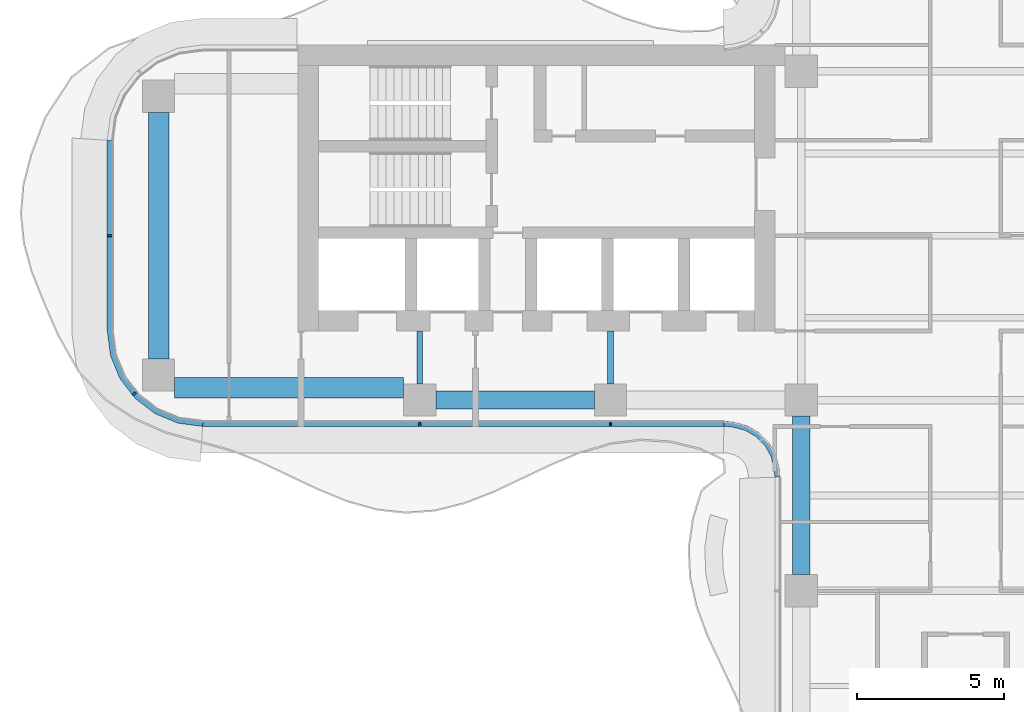
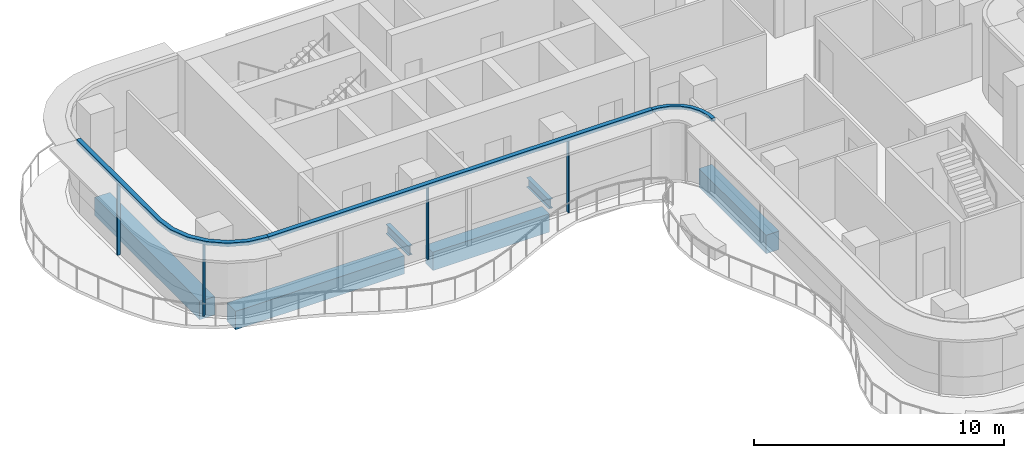
# One storey, part 3 of 19: 7 members, 6 beams, 3 elements without a shape of their own.
"""IFC4 building model written with IfcOpenShell, lengths in metres."""

from ifc_helpers import new_model, si_unit, direction, frame, origin, origin_2d, place, context, subcontext, project, spatial, polyline, rectangle, i_section, outline, extrude, source, transform, mapped, material, layer, layer_set, material_profile, profile_set, type_object, element, aggregate, save


model = new_model("IFC4")

# Units and contexts
model_context = context("Model", 3, precision=1e-05, world=origin(), true_north=direction((0.0, 1.0)))
body_context = subcontext(model_context, "Body", "Model", "MODEL_VIEW")
ifc_project = project(units=[si_unit("LENGTHUNIT", "METRE"), si_unit("AREAUNIT", "SQUARE_METRE"), si_unit("VOLUMEUNIT", "CUBIC_METRE"), si_unit("PLANEANGLEUNIT", "RADIAN"), si_unit("MASSUNIT", "GRAM", prefix="KILO")], contexts=[model_context])

# Site, building, storey
site_placement = place(None, origin())
site = spatial("IfcSite", under=ifc_project, at=site_placement, CompositionType="ELEMENT")
building_placement = place(site_placement, origin())
building = spatial("IfcBuilding", under=site, at=building_placement, Name="Trellis Farm Tower", CompositionType="ELEMENT")
storey_placement = place(building_placement, frame((0.0, 0.0, 228.5)))
storey = spatial("IfcBuildingStorey", under=building, at=storey_placement, Name="L50", CompositionType="ELEMENT", Elevation=228.5)

# Beams
ifc_material_1 = material(Name="Steel S355", Category="steel")
ifc_material_profile_1 = material_profile(ifc_material_1, i_section(OverallWidth=0.1904296875, OverallDepth=0.45703125, WebThickness=0.009033203125, FlangeThickness=0.014404296875, FilletRadius=0.01025390625, at=origin_2d()), Name="UB 457x191x74")
ifc_profile_set_1 = profile_set([ifc_material_profile_1], Name="Steel S355")
beam_type_1 = type_object("IfcBeamType", Name="UB 457x191x74", PredefinedType="BEAM", material=ifc_profile_set_1)
shared_shape_1 = source(origin(), body_context, "Body", "SweptSolid", [
    extrude(i_section(OverallWidth=0.1904296875, OverallDepth=0.45703125, WebThickness=0.009033203125, FlangeThickness=0.014404296875, FilletRadius=0.01025390625, at=origin_2d()), origin(), (0.0, 0.0, 1.0), 1.800048828125),
])
for number, where, z_axis, x_axis, name in (
    (1, (-18.60009765625, -5.050048828125, -0.428466796875), (0.0, 1.0, 0.0), (-1.0, 0.0, 0.0), "Girder"),
    (2, (-12.10009765625, -5.050048828125, -0.428466796875), (0.0, 1.0, 0.0), (-1.0, 0.0, 0.0), "Girder"),
):
    element("IfcBeam", number, at=place(storey_placement, frame(where, z_axis=z_axis, x_axis=x_axis)), inside=storey, type_object=beam_type_1, Name=name, PredefinedType="BEAM", context=body_context, shape_type="MappedRepresentation", body=[
        mapped(shared_shape_1, transform((0.0, 0.0, 0.0))),
    ])
ifc_material_2 = material(Name="Concrete C60/75", Category="concrete")
ifc_material_profile_2 = material_profile(ifc_material_2, rectangle(XDim=0.60009765625, YDim=0.89990234375, at=origin_2d()), Name="RC spandrel beam 600x900 C60/75")
ifc_profile_set_2 = profile_set([ifc_material_profile_2], Name="Concrete C60/75")
beam_type_2 = type_object("IfcBeamType", Name="RC spandrel beam 600x900 C60/75", PredefinedType="SPANDREL", material=ifc_profile_set_2)
shared_shape_2 = source(origin(), body_context, "Body", "SweptSolid", [
    extrude(rectangle(XDim=0.60009765625, YDim=0.89990234375, at=origin_2d()), origin(), (0.0, 0.0, 1.0), 5.400146484375),
])
for number, where, z_axis, x_axis, name in (
    (3, (-18.050048828125, -5.60009765625, -0.64990234375), (1.0, 0.0, 0.0), (0.0, 1.0, 0.0), "Girder"),
    (4, (-5.60009765625, -11.550048828125, -0.64990234375), (0.0, 1.0, 0.0), (-1.0, 0.0, 0.0), "Girder"),
):
    element("IfcBeam", number, at=place(storey_placement, frame(where, z_axis=z_axis, x_axis=x_axis)), inside=storey, type_object=beam_type_2, Name=name, PredefinedType="SPANDREL", context=body_context, shape_type="MappedRepresentation", body=[
        mapped(shared_shape_2, transform((0.0, 0.0, 0.0))),
    ])
ifc_material_profile_3 = material_profile(ifc_material_2, rectangle(XDim=0.699951171875, YDim=0.89990234375, at=origin_2d()), Name="RC spandrel beam 700x900 C60/75")
ifc_profile_set_3 = profile_set([ifc_material_profile_3], Name="Concrete C60/75")
beam_type_3 = type_object("IfcBeamType", Name="RC spandrel beam 700x900 C60/75", PredefinedType="SPANDREL", material=ifc_profile_set_3)
shared_shape_3 = source(origin(), body_context, "Body", "SweptSolid", [
    extrude(rectangle(XDim=0.699951171875, YDim=0.89990234375, at=origin_2d()), origin(), (0.0, 0.0, 1.0), 8.39990234375),
])
beam_1_placement = place(storey_placement, frame((-27.5, -4.199951171875, -0.64990234375), z_axis=(0.0, 1.0, 0.0), x_axis=(-1.0, 0.0, 0.0)))
element("IfcBeam", 5, at=beam_1_placement, inside=storey, type_object=beam_type_3, Name="Girder", PredefinedType="SPANDREL", context=body_context, shape_type="MappedRepresentation", body=[
    mapped(shared_shape_3, transform((0.0, 0.0, 0.0))),
])
shared_shape_4 = source(origin(), body_context, "Body", "SweptSolid", [
    extrude(rectangle(XDim=0.699951171875, YDim=0.89990234375, at=origin_2d()), origin(), (0.0, 0.0, 1.0), 7.800048828125),
])
beam_2_placement = place(storey_placement, frame((-26.949951171875, -5.175048828125, -0.64990234375), z_axis=(1.0, 0.0, 0.0), x_axis=(0.0, 1.0, 0.0)))
element("IfcBeam", 6, at=beam_2_placement, inside=storey, type_object=beam_type_3, Name="Girder", PredefinedType="SPANDREL", context=body_context, shape_type="MappedRepresentation", body=[
    mapped(shared_shape_4, transform((0.0, 0.0, 0.0))),
])

# Curtain wall, member
ifc_material_3 = material(Name="Aluminium and glass curtain wall", Category="aluminium")
ifc_layer_1 = layer(ifc_material_3, 0.166015625)
ifc_layer_set_1 = layer_set([ifc_layer_1], Name="WINTER GARDEN CURTAIN WALL CW3")
curtain_wall_type_1 = type_object("IfcCurtainWallType", Name="WINTER GARDEN CURTAIN WALL CW3", PredefinedType="NOTDEFINED", material=ifc_layer_set_1)
placement_1 = place(storey_placement, origin())
curtain_wall_1 = element("IfcCurtainWall", 7, at=placement_1, inside=storey, type_object=curtain_wall_type_1, Name="CW3 001", PredefinedType="NOTDEFINED")
ifc_material_4 = material(Name="Aluminium extrusion 6063-T6", Category="aluminium")
ifc_layer_2 = layer(ifc_material_4, 0.169921875)
ifc_layer_set_2 = layer_set([ifc_layer_2], Name="Aluminium extrusion 6063-T6")
member_type_1 = type_object("IfcMemberType", Name="CW3 TRANSOM 170x150", PredefinedType="USERDEFINED", material=ifc_layer_set_2)
shared_shape_5 = source(origin(), body_context, "Body", "SweptSolid", [
    extrude(outline(polyline([(-8.2314453125, -6.5), (-8.01953125, -6.513916015625), (-7.91552734375, -6.527587890625), (-7.508544921875, -6.63671875), (-7.144287109375, -6.846923828125), (-6.846923828125, -7.144287109375), (-6.63671875, -7.508544921875), (-6.527587890625, -7.91552734375), (-6.513916015625, -8.01953125), (-6.5, -8.2314453125), (-6.330078125, -8.225830078125), (-6.3447265625, -8.0029296875), (-6.360595703125, -7.88232421875), (-6.478271484375, -7.44287109375), (-6.7109375, -7.0400390625), (-7.0400390625, -6.7109375), (-7.44287109375, -6.478271484375), (-7.88232421875, -6.360595703125), (-8.0029296875, -6.3447265625), (-8.225830078125, -6.330078125), (-8.2314453125, -6.5)])), origin(), (0.0, 0.0, 1.0), 0.14990234375),
])
member_1_placement = place(storey_placement, frame((0.0, 0.0, 3.550048828125)))
member_1 = element("IfcMember", 8, at=member_1_placement, type_object=member_type_1, Name="TR3 001", ObjectType="TRANSOM", PredefinedType="USERDEFINED", context=body_context, shape_type="MappedRepresentation", body=[
    mapped(shared_shape_5, transform((0.0, 0.0, 0.0))),
])
aggregate(curtain_wall_1, [member_1])

# Curtain wall, members
ifc_layer_3 = layer(ifc_material_3, 0.18994140625)
ifc_layer_set_3 = layer_set([ifc_layer_3], Name="RIBBON CURTAIN WALL CW1")
curtain_wall_type_2 = type_object("IfcCurtainWallType", Name="RIBBON CURTAIN WALL CW1", PredefinedType="NOTDEFINED", material=ifc_layer_set_3)
curtain_wall_2 = element("IfcCurtainWall", 9, at=placement_1, inside=storey, type_object=curtain_wall_type_2, Name="CW1 001", PredefinedType="NOTDEFINED")
ifc_material_profile_4 = material_profile(ifc_material_4, rectangle(XDim=0.06005859375, YDim=0.14990234375, at=origin_2d()), Name="MULLION 60x150")
ifc_profile_set_4 = profile_set([ifc_material_profile_4], Name="Aluminium extrusion 6063-T6")
member_type_2 = type_object("IfcMemberType", Name="CW1 MULLION 60x150", PredefinedType="MULLION", material=ifc_profile_set_4)
shared_shape_6 = source(origin(), body_context, "Body", "SweptSolid", [
    extrude(rectangle(XDim=0.06005859375, YDim=0.14990234375, at=origin_2d()), origin(), (0.0, 0.0, 1.0), 3.52001953125),
])
member_2_placement = place(storey_placement, frame((-18.60009765625, -6.425048828125, 0.0), z_axis=(0.0, 0.0, 1.0), x_axis=(1.0, 0.0, 0.0)))
member_2 = element("IfcMember", 10, at=member_2_placement, type_object=member_type_2, Name="MU1 001-01", PredefinedType="MULLION", context=body_context, shape_type="MappedRepresentation", body=[
    mapped(shared_shape_6, transform((0.0, 0.0, 0.0))),
])
member_3_placement = place(storey_placement, frame((-12.10009765625, -6.425048828125, 0.0), z_axis=(0.0, 0.0, 1.0), x_axis=(1.0, 0.0, 0.0)))
member_3 = element("IfcMember", 11, at=member_3_placement, type_object=member_type_2, Name="MU1 001-02", PredefinedType="MULLION", context=body_context, shape_type="MappedRepresentation", body=[
    mapped(shared_shape_6, transform((0.0, 0.0, 0.0))),
])

curtain_wall_3 = element("IfcCurtainWall", 12, at=placement_1, inside=storey, type_object=curtain_wall_type_2, Name="CW1 013", PredefinedType="NOTDEFINED")
member_4_placement = place(storey_placement, frame((-29.175048828125, 0.0, 0.0), z_axis=(0.0, 0.0, 1.0), x_axis=(0.0, -1.0, 0.0)))
member_4 = element("IfcMember", 13, at=member_4_placement, type_object=member_type_2, Name="MU1 013-01", PredefinedType="MULLION", context=body_context, shape_type="MappedRepresentation", body=[
    mapped(shared_shape_6, transform((0.0, 0.0, 0.0))),
])
member_5_placement = place(storey_placement, frame((-28.328369140625, -5.385498046875, 0.0), z_axis=(0.0, 0.0, 1.0), x_axis=(0.608761429009, -0.793353340291, 0.0)))
member_5 = element("IfcMember", 14, at=member_5_placement, type_object=member_type_2, Name="MU1 013-02", PredefinedType="MULLION", context=body_context, shape_type="MappedRepresentation", body=[
    mapped(shared_shape_6, transform((0.0, 0.0, 0.0))),
])

# Member
ifc_layer_4 = layer(ifc_material_4, 0.199951171875)
ifc_layer_set_4 = layer_set([ifc_layer_4], Name="Aluminium extrusion 6063-T6")
member_type_3 = type_object("IfcMemberType", Name="CW1 TRANSOM 200x180", PredefinedType="USERDEFINED", material=ifc_layer_set_4)
shared_shape_7 = source(origin(), body_context, "Body", "SweptSolid", [
    extrude(outline(polyline([(-26.0, -6.5), (-8.2314453125, -6.5), (-8.224853515625, -6.300048828125), (-25.98681640625, -6.300048828125), (-26.0, -6.5)])), origin(), (0.0, 0.0, 1.0), 0.179931640625),
])
placement_2 = place(storey_placement, frame((0.0, 0.0, 3.52001953125)))
member_6 = element("IfcMember", 15, at=placement_2, type_object=member_type_3, Name="TR1 001", ObjectType="TRANSOM", PredefinedType="USERDEFINED", context=body_context, shape_type="MappedRepresentation", body=[
    mapped(shared_shape_7, transform((0.0, 0.0, 0.0))),
])

aggregate(curtain_wall_2, [member_2, member_3, member_6])

shared_shape_8 = source(origin(), body_context, "Body", "SweptSolid", [
    extrude(outline(polyline([(-29.25, 3.25), (-29.25, -3.25), (-29.13916015625, -4.091064453125), (-28.814697265625, -4.875), (-28.298095703125, -5.548095703125), (-27.625, -6.064697265625), (-26.841064453125, -6.38916015625), (-26.0, -6.5), (-25.98681640625, -6.300048828125), (-26.7890625, -6.1943359375), (-27.524169921875, -5.889892578125), (-28.155517578125, -5.405517578125), (-28.639892578125, -4.774169921875), (-28.9443359375, -4.0390625), (-29.050048828125, -3.23681640625), (-29.050048828125, 3.23681640625), (-29.25, 3.25)])), origin(), (0.0, 0.0, 1.0), 0.179931640625),
])
member_7 = element("IfcMember", 16, at=placement_2, type_object=member_type_3, Name="TR1 013", ObjectType="TRANSOM", PredefinedType="USERDEFINED", context=body_context, shape_type="MappedRepresentation", body=[
    mapped(shared_shape_8, transform((0.0, 0.0, 0.0))),
])

aggregate(curtain_wall_3, [member_4, member_5, member_7])

save(model, "model.ifc")
